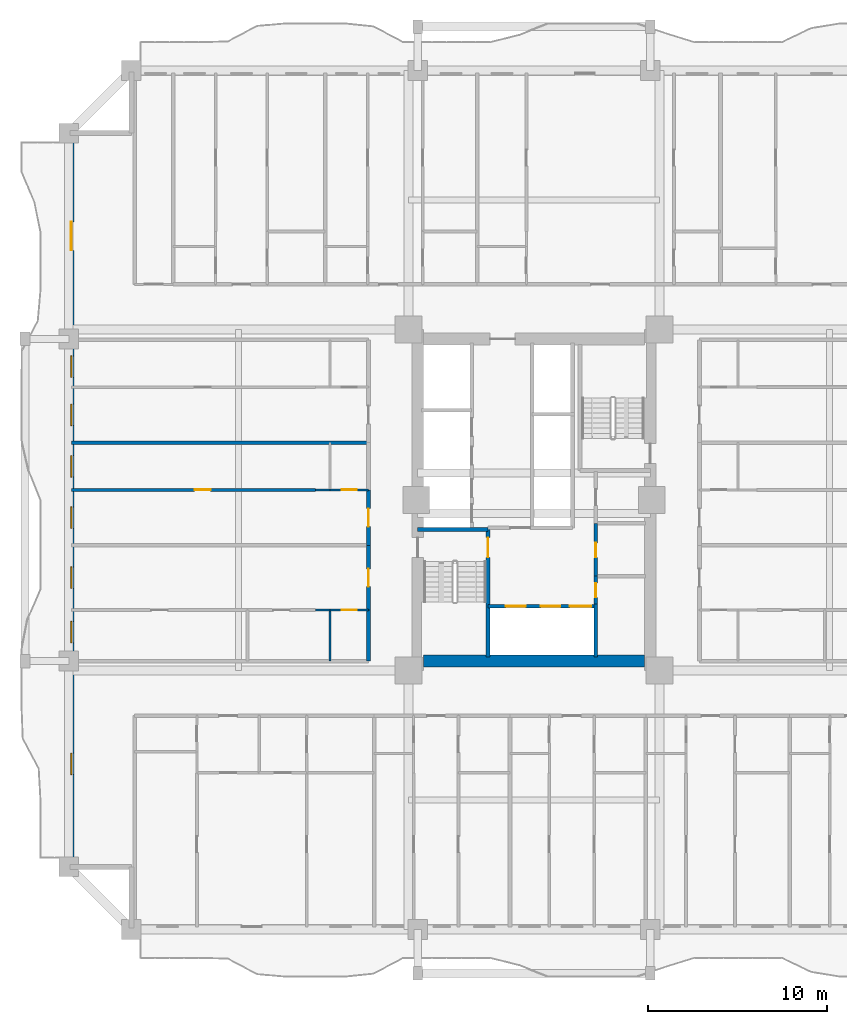
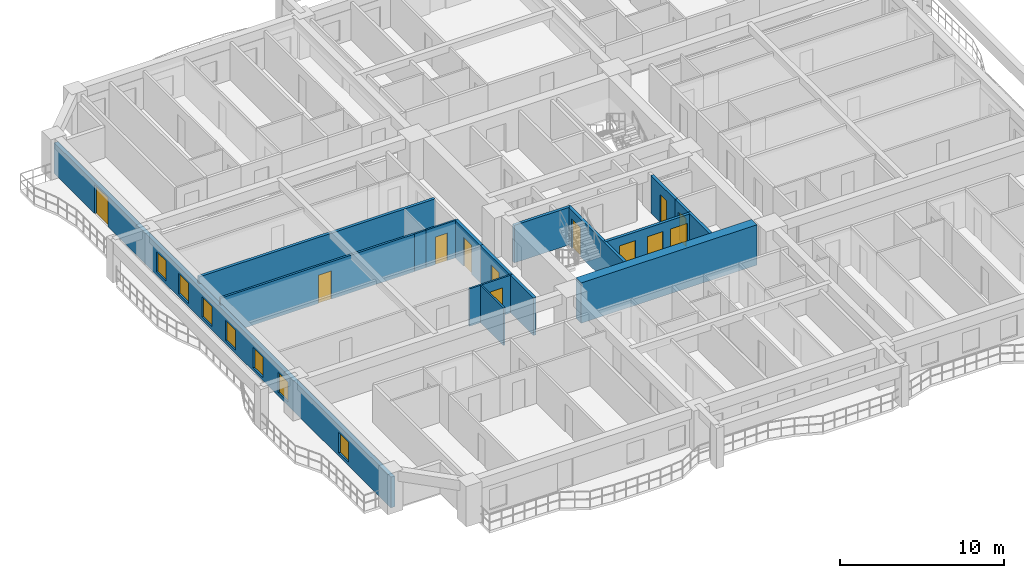
# One storey, part 4 of 16: 18 walls, 12 doors, 7 windows, 19 openings.
"""IFC4 building model written with IfcOpenShell, lengths in metres."""

from ifc_helpers import new_model, si_unit, direction, frame, frame_2d, origin, place, context, subcontext, project, spatial, rectangle, extrude, source, transform, mapped, material, layer, layer_set, type_object, element, fill, save


model = new_model("IFC4")

# Units and contexts
model_context = context("Model", 3, precision=1e-05, world=origin(), true_north=direction((0.0, 1.0)))
body_context = subcontext(model_context, "Body", "Model", "MODEL_VIEW")
ifc_project = project(units=[si_unit("LENGTHUNIT", "METRE"), si_unit("AREAUNIT", "SQUARE_METRE"), si_unit("VOLUMEUNIT", "CUBIC_METRE"), si_unit("PLANEANGLEUNIT", "RADIAN"), si_unit("MASSUNIT", "GRAM", prefix="KILO")], contexts=[model_context])

# Site, building, storey
site_placement = place(None, origin())
site = spatial("IfcSite", under=ifc_project, at=site_placement, CompositionType="ELEMENT")
building_placement = place(site_placement, origin())
building = spatial("IfcBuilding", under=site, at=building_placement, Name="Saelheon Loggia Tower", CompositionType="ELEMENT")
storey_placement = place(building_placement, frame((0.0, 0.0, 55.39990234375)))
storey = spatial("IfcBuildingStorey", under=building, at=storey_placement, Name="L17", CompositionType="ELEMENT", Elevation=55.39990234375)

# Wall
ifc_material_1 = material(Name="Concrete C60/75", Category="concrete")
ifc_layer_1 = layer(ifc_material_1, 0.64990234375)
ifc_layer_set_1 = layer_set([ifc_layer_1], Name="Concrete C60/75")
wall_type_1 = type_object("IfcWallType", Name="Wall_CoreShear_650", PredefinedType="SHEAR", material=ifc_layer_set_1)
wall_1_placement = place(storey_placement, frame((31.824951171875, 18.0, 0.0), z_axis=(0.0, 0.0, 1.0), x_axis=(1.0, 0.0, 0.0)))
element("IfcWall", 1, at=wall_1_placement, inside=storey, type_object=wall_type_1, Name="L17 Core Shear Wall South", PredefinedType="SHEAR", context=body_context, shape_type="SweptSolid", body=[
    extrude(rectangle(XDim=12.35009765625, YDim=0.64990234375, at=frame_2d((6.175048828125, 0.0))), origin(), (0.0, 0.0, 1.0), 3.0),
])

# Wall, openings, windows, door
ifc_material_2 = material(Name="Architectural Precast Concrete C40/50", Category="concrete")
ifc_layer_2 = layer(ifc_material_2, 0.280029296875)
ifc_layer_set_2 = layer_set([ifc_layer_2], Name="Architectural Precast Concrete C40/50")
wall_type_2 = type_object("IfcWallType", Name="Wall_Ext_Loggia_280", PredefinedType="SOLIDWALL", material=ifc_layer_set_2)
wall_2_placement = place(storey_placement, frame((12.139892578125, 6.5, 0.0), z_axis=(0.0, 0.0, 1.0), x_axis=(0.0, 1.0, 0.0)))
wall_2 = element("IfcWall", 2, at=wall_2_placement, inside=storey, type_object=wall_type_2, Name="L17 West Loggia Inner Wall", PredefinedType="SOLIDWALL", context=body_context, shape_type="SweptSolid", body=[
    extrude(rectangle(XDim=41.0, YDim=0.280029296875, at=frame_2d((20.5, 0.0))), origin(), (0.0, 0.0, 1.0), 2.280029296875),
])
opening_1_placement = place(wall_2_placement, frame((5.14990234375, 0.0, 0.25)))
opening_1 = element("IfcOpeningElement", 3, at=opening_1_placement, cuts=wall_2, Name="Opening WN-03", PredefinedType="OPENING", context=body_context, shape_type="SweptSolid", body=[
    extrude(rectangle(XDim=1.199951171875, YDim=1.5, at=frame_2d((0.60009765625, 0.75))), frame((0.0, 0.152099609375, 0.0), z_axis=(0.0, -1.0, 0.0), x_axis=(1.0, 0.0, 0.0)), (0.0, 0.0, 1.0), 0.303955078125),
])
opening_2_placement = place(wall_2_placement, frame((12.52001953125, 0.0, 0.25)))
opening_2 = element("IfcOpeningElement", 4, at=opening_2_placement, cuts=wall_2, Name="Opening WN-03", PredefinedType="OPENING", context=body_context, shape_type="SweptSolid", body=[
    extrude(rectangle(XDim=1.199951171875, YDim=1.5, at=frame_2d((0.60009765625, 0.75))), frame((0.0, 0.152099609375, 0.0), z_axis=(0.0, -1.0, 0.0), x_axis=(1.0, 0.0, 0.0)), (0.0, 0.0, 1.0), 0.303955078125),
])
opening_3_placement = place(wall_2_placement, frame((15.555908203125, 0.0, 0.25)))
opening_3 = element("IfcOpeningElement", 5, at=opening_3_placement, cuts=wall_2, Name="Opening WN-03", PredefinedType="OPENING", context=body_context, shape_type="SweptSolid", body=[
    extrude(rectangle(XDim=1.199951171875, YDim=1.5, at=frame_2d((0.60009765625, 0.75))), frame((0.0, 0.152099609375, 0.0), z_axis=(0.0, -1.0, 0.0), x_axis=(1.0, 0.0, 0.0)), (0.0, 0.0, 1.0), 0.303955078125),
])
opening_4_placement = place(wall_2_placement, frame((18.912841796875, 0.0, 0.25)))
opening_4 = element("IfcOpeningElement", 6, at=opening_4_placement, cuts=wall_2, Name="Opening WN-03", PredefinedType="OPENING", context=body_context, shape_type="SweptSolid", body=[
    extrude(rectangle(XDim=1.199951171875, YDim=1.5, at=frame_2d((0.60009765625, 0.75))), frame((0.0, 0.152099609375, 0.0), z_axis=(0.0, -1.0, 0.0), x_axis=(1.0, 0.0, 0.0)), (0.0, 0.0, 1.0), 0.303955078125),
])
opening_5_placement = place(wall_2_placement, frame((21.784912109375, 0.0, 0.25)))
opening_5 = element("IfcOpeningElement", 7, at=opening_5_placement, cuts=wall_2, Name="Opening WN-03", PredefinedType="OPENING", context=body_context, shape_type="SweptSolid", body=[
    extrude(rectangle(XDim=1.199951171875, YDim=1.5, at=frame_2d((0.60009765625, 0.75))), frame((0.0, 0.152099609375, 0.0), z_axis=(0.0, -1.0, 0.0), x_axis=(1.0, 0.0, 0.0)), (0.0, 0.0, 1.0), 0.303955078125),
])
opening_6_placement = place(wall_2_placement, frame((24.656982421875, 0.0, 0.25)))
opening_6 = element("IfcOpeningElement", 8, at=opening_6_placement, cuts=wall_2, Name="Opening WN-03", PredefinedType="OPENING", context=body_context, shape_type="SweptSolid", body=[
    extrude(rectangle(XDim=1.199951171875, YDim=1.5, at=frame_2d((0.60009765625, 0.75))), frame((0.0, 0.152099609375, 0.0), z_axis=(0.0, -1.0, 0.0), x_axis=(1.0, 0.0, 0.0)), (0.0, 0.0, 1.0), 0.303955078125),
])
opening_7_placement = place(wall_2_placement, frame((27.35888671875, 0.0, 0.25)))
opening_7 = element("IfcOpeningElement", 9, at=opening_7_placement, cuts=wall_2, Name="Opening WN-03", PredefinedType="OPENING", context=body_context, shape_type="SweptSolid", body=[
    extrude(rectangle(XDim=1.199951171875, YDim=1.5, at=frame_2d((0.60009765625, 0.75))), frame((0.0, 0.152099609375, 0.0), z_axis=(0.0, -1.0, 0.0), x_axis=(1.0, 0.0, 0.0)), (0.0, 0.0, 1.0), 0.303955078125),
])
opening_8_placement = place(wall_2_placement, frame((34.449951171875, 0.0, 0.0)))
opening_8 = element("IfcOpeningElement", 10, at=opening_8_placement, cuts=wall_2, Name="Opening DLG-1", PredefinedType="OPENING", context=body_context, shape_type="SweptSolid", body=[
    extrude(rectangle(XDim=1.60009765625, YDim=2.14990234375, at=frame_2d((0.800048828125, 1.074951171875))), frame((0.0, 0.152099609375, 0.0), z_axis=(0.0, -1.0, 0.0), x_axis=(1.0, 0.0, 0.0)), (0.0, 0.0, 1.0), 0.303955078125),
])
ifc_material_3 = material(Name="Thermal-Break Aluminium and Triple Low-E Glass", Category="aluminium")
window_type = type_object("IfcWindowType", Name="Win_Bedroom_1200x1500", PartitioningType="SINGLE_PANEL", PredefinedType="WINDOW", material=ifc_material_3)
shared_shape_1 = source(origin(), body_context, "Body", "SweptSolid", [
    extrude(rectangle(XDim=1.199951171875, YDim=1.5, at=frame_2d((0.60009765625, 0.75))), frame((0.0, 0.030029296875, 0.0), z_axis=(0.0, -1.0, 0.0), x_axis=(1.0, 0.0, 0.0)), (0.0, 0.0, 1.0), 0.06005859375),
])
window_1_placement = place(opening_1_placement, origin())
window_1 = element("IfcWindow", 11, at=window_1_placement, inside=storey, type_object=window_type, Name="L17 W Dwelling Window 1", OverallHeight=1.5, OverallWidth=1.199951171875, PartitioningType="SINGLE_PANEL", PredefinedType="WINDOW", context=body_context, shape_type="MappedRepresentation", body=[
    mapped(shared_shape_1, transform((0.0, 0.0, 0.0), scale=1.0)),
])
fill(opening_1, window_1)
window_2_placement = place(opening_2_placement, origin())
window_2 = element("IfcWindow", 12, at=window_2_placement, inside=storey, type_object=window_type, Name="L17 W Dwelling Window 2", OverallHeight=1.5, OverallWidth=1.199951171875, PartitioningType="SINGLE_PANEL", PredefinedType="WINDOW", context=body_context, shape_type="MappedRepresentation", body=[
    mapped(shared_shape_1, transform((0.0, 0.0, 0.0), scale=1.0)),
])
fill(opening_2, window_2)
window_3_placement = place(opening_3_placement, origin())
window_3 = element("IfcWindow", 13, at=window_3_placement, inside=storey, type_object=window_type, Name="L17 W Dwelling Window 3", OverallHeight=1.5, OverallWidth=1.199951171875, PartitioningType="SINGLE_PANEL", PredefinedType="WINDOW", context=body_context, shape_type="MappedRepresentation", body=[
    mapped(shared_shape_1, transform((0.0, 0.0, 0.0), scale=1.0)),
])
fill(opening_3, window_3)
window_4_placement = place(opening_4_placement, origin())
window_4 = element("IfcWindow", 14, at=window_4_placement, inside=storey, type_object=window_type, Name="L17 W Dwelling Window 4", OverallHeight=1.5, OverallWidth=1.199951171875, PartitioningType="SINGLE_PANEL", PredefinedType="WINDOW", context=body_context, shape_type="MappedRepresentation", body=[
    mapped(shared_shape_1, transform((0.0, 0.0, 0.0), scale=1.0)),
])
fill(opening_4, window_4)
window_5_placement = place(opening_5_placement, origin())
window_5 = element("IfcWindow", 15, at=window_5_placement, inside=storey, type_object=window_type, Name="L17 W Dwelling Window 5", OverallHeight=1.5, OverallWidth=1.199951171875, PartitioningType="SINGLE_PANEL", PredefinedType="WINDOW", context=body_context, shape_type="MappedRepresentation", body=[
    mapped(shared_shape_1, transform((0.0, 0.0, 0.0), scale=1.0)),
])
fill(opening_5, window_5)
window_6_placement = place(opening_6_placement, origin())
window_6 = element("IfcWindow", 16, at=window_6_placement, inside=storey, type_object=window_type, Name="L17 W Dwelling Window 6", OverallHeight=1.5, OverallWidth=1.199951171875, PartitioningType="SINGLE_PANEL", PredefinedType="WINDOW", context=body_context, shape_type="MappedRepresentation", body=[
    mapped(shared_shape_1, transform((0.0, 0.0, 0.0), scale=1.0)),
])
fill(opening_6, window_6)
window_7_placement = place(opening_7_placement, origin())
window_7 = element("IfcWindow", 17, at=window_7_placement, inside=storey, type_object=window_type, Name="L17 W Dwelling Window 7", OverallHeight=1.5, OverallWidth=1.199951171875, PartitioningType="SINGLE_PANEL", PredefinedType="WINDOW", context=body_context, shape_type="MappedRepresentation", body=[
    mapped(shared_shape_1, transform((0.0, 0.0, 0.0), scale=1.0)),
])
fill(opening_7, window_7)
ifc_material_4 = material(Name="Thermal-Break Aluminium Sliding Glazed Door", Category="aluminium")
door_type_1 = type_object("IfcDoorType", Name="Door_LoggiaSlide_1600", OperationType="SLIDING_TO_LEFT", PredefinedType="DOOR", material=ifc_material_4)
shared_shape_2 = source(origin(), body_context, "Body", "SweptSolid", [
    extrude(rectangle(XDim=1.60009765625, YDim=2.14990234375, at=frame_2d((0.800048828125, 1.074951171875))), frame((0.0, 0.02490234375, 0.0), z_axis=(0.0, -1.0, 0.0), x_axis=(1.0, 0.0, 0.0)), (0.0, 0.0, 1.0), 0.050048828125),
])
door_1_placement = place(opening_8_placement, origin())
door_1 = element("IfcDoor", 18, at=door_1_placement, inside=storey, type_object=door_type_1, Name="L17 W Loggia Access Door", OperationType="SLIDING_TO_LEFT", OverallHeight=2.14990234375, OverallWidth=1.60009765625, PredefinedType="DOOR", context=body_context, shape_type="MappedRepresentation", body=[
    mapped(shared_shape_2, transform((0.0, 0.0, 0.0), scale=1.0)),
])
fill(opening_8, door_1)

# Wall, opening, door
ifc_material_5 = material(Name="Lightweight Autoclaved Aerated Concrete Block and Acoustic Gypsum", Category="concrete")
ifc_layer_3 = layer(ifc_material_5, 0.14990234375)
ifc_layer_set_3 = layer_set([ifc_layer_3], Name="Lightweight Autoclaved Aerated Concrete Block and Acoustic Gypsum")
wall_type_3 = type_object("IfcWallType", Name="Wall_Part_150", PredefinedType="PARTITIONING", material=ifc_layer_set_3)
wall_3_placement = place(storey_placement, frame((25.7900390625, 27.563720703125, 0.0), z_axis=(0.0, 0.0, 1.0), x_axis=(-1.0, 0.0, 0.0)))
wall_3 = element("IfcWall", 19, at=wall_3_placement, inside=storey, type_object=wall_type_3, Name="L17 W Partition U17", PredefinedType="PARTITIONING", context=body_context, shape_type="SweptSolid", body=[
    extrude(rectangle(XDim=13.64013671875, YDim=0.14990234375, at=frame_2d((6.820068359375, 0.0))), origin(), (0.0, 0.0, 1.0), 2.7900390625),
])
opening_9_placement = place(wall_3_placement, frame((5.859130859375, 0.0, 0.0)))
opening_9 = element("IfcOpeningElement", 20, at=opening_9_placement, cuts=wall_3, Name="Opening D-IN2", PredefinedType="OPENING", context=body_context, shape_type="SweptSolid", body=[
    extrude(rectangle(XDim=0.89990234375, YDim=2.10009765625, at=frame_2d((0.449951171875, 1.050048828125))), frame((0.0, 0.0869140625, 0.0), z_axis=(0.0, -1.0, 0.0), x_axis=(1.0, 0.0, 0.0)), (0.0, 0.0, 1.0), 0.173828125),
])
ifc_material_6 = material(Name="Engineered Oak Flush Door", Category="timber")
door_type_2 = type_object("IfcDoorType", Name="Door_Int_900", OperationType="NOTDEFINED", PredefinedType="DOOR", material=ifc_material_6)
shared_shape_3 = source(origin(), body_context, "Body", "SweptSolid", [
    extrude(rectangle(XDim=0.89990234375, YDim=2.10009765625, at=frame_2d((0.449951171875, 1.050048828125))), frame((0.0, 0.02490234375, 0.0), z_axis=(0.0, -1.0, 0.0), x_axis=(1.0, 0.0, 0.0)), (0.0, 0.0, 1.0), 0.050048828125),
])
door_2_placement = place(opening_9_placement, origin())
door_2 = element("IfcDoor", 21, at=door_2_placement, inside=storey, type_object=door_type_2, Name="Unit U11 Kitchen Door", OperationType="SINGLE_SWING_LEFT", OverallHeight=2.10009765625, OverallWidth=0.89990234375, PredefinedType="DOOR", context=body_context, shape_type="MappedRepresentation", body=[
    mapped(shared_shape_3, transform((0.0, 0.0, 0.0), scale=1.0)),
])
fill(opening_9, door_2)

# Wall
ifc_material_7 = material(Name="Double Acoustic Stud and Fireboard Partition", Category="gypsum")
ifc_layer_4 = layer(ifc_material_7, 0.199951171875)
ifc_layer_set_4 = layer_set([ifc_layer_4], Name="Double Acoustic Stud and Fireboard Partition")
wall_type_4 = type_object("IfcWallType", Name="Wall_Party_200", PredefinedType="PARTITIONING", material=ifc_layer_set_4)
wall_4_placement = place(storey_placement, frame((28.75, 18.0, 0.0), z_axis=(0.0, 0.0, 1.0), x_axis=(0.0, 1.0, 0.0)))
element("IfcWall", 22, at=wall_4_placement, inside=storey, type_object=wall_type_4, Name="L17 W Partition V03", PredefinedType="PARTITIONING", context=body_context, shape_type="SweptSolid", body=[
    extrude(rectangle(XDim=2.85009765625, YDim=0.199951171875, at=frame_2d((1.425048828125, 0.0))), origin(), (0.0, 0.0, 1.0), 2.7900390625),
])

# Wall, opening, door
wall_5_placement = place(storey_placement, frame((28.75, 20.85009765625, 0.0), z_axis=(0.0, 0.0, 1.0), x_axis=(0.0, 1.0, 0.0)))
wall_5 = element("IfcWall", 23, at=wall_5_placement, inside=storey, type_object=wall_type_4, Name="L17 W Partition V04", PredefinedType="PARTITIONING", context=body_context, shape_type="SweptSolid", body=[
    extrude(rectangle(XDim=3.61181640625, YDim=0.199951171875, at=frame_2d((1.805908203125, 0.0))), origin(), (0.0, 0.0, 1.0), 2.7900390625),
])
opening_10_placement = place(wall_5_placement, frame((1.305908203125, 0.0, 0.0)))
opening_10 = element("IfcOpeningElement", 24, at=opening_10_placement, cuts=wall_5, Name="Opening D-FD1", PredefinedType="OPENING", context=body_context, shape_type="SweptSolid", body=[
    extrude(rectangle(XDim=1.0, YDim=2.14990234375, at=frame_2d((0.5, 1.074951171875))), frame((0.0, 0.112060546875, 0.0), z_axis=(0.0, -1.0, 0.0), x_axis=(1.0, 0.0, 0.0)), (0.0, 0.0, 1.0), 0.223876953125),
])
ifc_material_8 = material(Name="Fire-Rated Engineered Timber Entrance Door", Category="wood")
door_type_3 = type_object("IfcDoorType", Name="Door_Flat_FD30S", OperationType="NOTDEFINED", PredefinedType="DOOR", material=ifc_material_8)
shared_shape_4 = source(origin(), body_context, "Body", "SweptSolid", [
    extrude(rectangle(XDim=1.0, YDim=2.14990234375, at=frame_2d((0.5, 1.074951171875))), frame((0.0, 0.02490234375, 0.0), z_axis=(0.0, -1.0, 0.0), x_axis=(1.0, 0.0, 0.0)), (0.0, 0.0, 1.0), 0.050048828125),
])
door_3_placement = place(opening_10_placement, origin())
door_3 = element("IfcDoor", 25, at=door_3_placement, inside=storey, type_object=door_type_3, Name="Unit U10 Entrance Door", OperationType="SINGLE_SWING_LEFT", OverallHeight=2.14990234375, OverallWidth=1.0, PredefinedType="DOOR", context=body_context, shape_type="MappedRepresentation", body=[
    mapped(shared_shape_4, transform((0.0, 0.0, 0.0), scale=1.0)),
])
fill(opening_10, door_3)

wall_6_placement = place(storey_placement, frame((28.75, 24.4619140625, 0.0), z_axis=(0.0, 0.0, 1.0), x_axis=(0.0, 1.0, 0.0)))
wall_6 = element("IfcWall", 26, at=wall_6_placement, inside=storey, type_object=wall_type_4, Name="L17 W Partition V12", PredefinedType="PARTITIONING", context=body_context, shape_type="SweptSolid", body=[
    extrude(rectangle(XDim=3.101806640625, YDim=0.199951171875, at=frame_2d((1.55078125, 0.0))), origin(), (0.0, 0.0, 1.0), 2.7900390625),
])
opening_11_placement = place(wall_6_placement, frame((1.05078125, 0.0, 0.0)))
opening_11 = element("IfcOpeningElement", 27, at=opening_11_placement, cuts=wall_6, Name="Opening D-FD1", PredefinedType="OPENING", context=body_context, shape_type="SweptSolid", body=[
    extrude(rectangle(XDim=1.0, YDim=2.14990234375, at=frame_2d((0.5, 1.074951171875))), frame((0.0, 0.112060546875, 0.0), z_axis=(0.0, -1.0, 0.0), x_axis=(1.0, 0.0, 0.0)), (0.0, 0.0, 1.0), 0.223876953125),
])
door_4_placement = place(opening_11_placement, origin())
door_4 = element("IfcDoor", 28, at=door_4_placement, inside=storey, type_object=door_type_3, Name="Unit U11 Entrance Door", OperationType="SINGLE_SWING_LEFT", OverallHeight=2.14990234375, OverallWidth=1.0, PredefinedType="DOOR", context=body_context, shape_type="MappedRepresentation", body=[
    mapped(shared_shape_4, transform((0.0, 0.0, 0.0), scale=1.0)),
])
fill(opening_11, door_4)

# Walls
wall_7_placement = place(storey_placement, frame((28.75, 30.2060546875, 0.0), z_axis=(0.0, 0.0, 1.0), x_axis=(-1.0, 0.0, 0.0)))
element("IfcWall", 29, at=wall_7_placement, inside=storey, type_object=wall_type_4, Name="L17 W Partition U18", PredefinedType="PARTITIONING", context=body_context, shape_type="SweptSolid", body=[
    extrude(rectangle(XDim=16.60009765625, YDim=0.199951171875, at=frame_2d((8.300048828125, 0.0))), origin(), (0.0, 0.0, 1.0), 2.7900390625),
])
ifc_material_9 = material(Name="Concrete C40/50", Category="concrete")
ifc_layer_5 = layer(ifc_material_9, 0.199951171875)
ifc_layer_set_5 = layer_set([ifc_layer_5], Name="Concrete C40/50")
wall_type_5 = type_object("IfcWallType", Name="Wall_Shaft_200", PredefinedType="PARTITIONING", material=ifc_layer_set_5)
wall_8_placement = place(storey_placement, frame((41.449951171875, 18.219970703125, 0.0), z_axis=(0.0, 0.0, 1.0), x_axis=(0.0, 1.0, 0.0)))
element("IfcWall", 30, at=wall_8_placement, inside=storey, type_object=wall_type_5, Name="CW-INT-L17-BOH-W0", PredefinedType="PARTITIONING", context=body_context, shape_type="SweptSolid", body=[
    extrude(rectangle(XDim=2.9599609375, YDim=0.199951171875, at=frame_2d((1.47998046875, 0.0))), origin(), (0.0, 0.0, 1.0), 2.7900390625),
])

# Wall, opening, door
wall_9_placement = place(storey_placement, frame((41.449951171875, 21.179931640625, 0.0), z_axis=(0.0, 0.0, 1.0), x_axis=(0.0, 1.0, 0.0)))
wall_9 = element("IfcWall", 31, at=wall_9_placement, inside=storey, type_object=wall_type_5, Name="CW-INT-L17-BOH-W1", PredefinedType="PARTITIONING", context=body_context, shape_type="SweptSolid", body=[
    extrude(rectangle(XDim=1.570068359375, YDim=0.199951171875, at=frame_2d((0.78515625, 0.0))), origin(), (0.0, 0.0, 1.0), 2.7900390625),
])
opening_12_placement = place(wall_9_placement, frame((0.3798828125, 0.0, 0.0)))
opening_12 = element("IfcOpeningElement", 32, at=opening_12_placement, cuts=wall_9, Name="Opening D-ST1", PredefinedType="OPENING", context=body_context, shape_type="SweptSolid", body=[
    extrude(rectangle(XDim=0.800048828125, YDim=2.050048828125, at=frame_2d((0.39990234375, 1.02490234375))), frame((0.0, 0.112060546875, 0.0), z_axis=(0.0, -1.0, 0.0), x_axis=(1.0, 0.0, 0.0)), (0.0, 0.0, 1.0), 0.223876953125),
])
ifc_material_10 = material(Name="Powder-Coated Steel Store Door", Category="steel")
door_type_4 = type_object("IfcDoorType", Name="Door_Store_800", OperationType="NOTDEFINED", PredefinedType="DOOR", material=ifc_material_10)
shared_shape_5 = source(origin(), body_context, "Body", "SweptSolid", [
    extrude(rectangle(XDim=0.800048828125, YDim=2.050048828125, at=frame_2d((0.39990234375, 1.02490234375))), frame((0.0, 0.02490234375, 0.0), z_axis=(0.0, -1.0, 0.0), x_axis=(1.0, 0.0, 0.0)), (0.0, 0.0, 1.0), 0.050048828125),
])
door_5_placement = place(opening_12_placement, origin())
door_5 = element("IfcDoor", 33, at=door_5_placement, inside=storey, type_object=door_type_4, Name="L17 Cleaner Store Door", OperationType="SINGLE_SWING_RIGHT", OverallHeight=2.050048828125, OverallWidth=0.800048828125, PredefinedType="DOOR", context=body_context, shape_type="MappedRepresentation", body=[
    mapped(shared_shape_5, transform((0.0, 0.0, 0.0), scale=1.0)),
])
fill(opening_12, door_5)

wall_10_placement = place(storey_placement, frame((41.449951171875, 22.75, 0.0), z_axis=(0.0, 0.0, 1.0), x_axis=(0.0, 1.0, 0.0)))
wall_10 = element("IfcWall", 34, at=wall_10_placement, inside=storey, type_object=wall_type_5, Name="CW-INT-L17-BOH-W2", PredefinedType="PARTITIONING", context=body_context, shape_type="SweptSolid", body=[
    extrude(rectangle(XDim=2.949951171875, YDim=0.199951171875, at=frame_2d((1.47509765625, 0.0))), origin(), (0.0, 0.0, 1.0), 2.7900390625),
])
opening_13_placement = place(wall_10_placement, frame((1.050048828125, 0.0, 0.0)))
opening_13 = element("IfcOpeningElement", 35, at=opening_13_placement, cuts=wall_10, Name="Opening D-ST1", PredefinedType="OPENING", context=body_context, shape_type="SweptSolid", body=[
    extrude(rectangle(XDim=0.800048828125, YDim=2.050048828125, at=frame_2d((0.39990234375, 1.02490234375))), frame((0.0, 0.112060546875, 0.0), z_axis=(0.0, -1.0, 0.0), x_axis=(1.0, 0.0, 0.0)), (0.0, 0.0, 1.0), 0.223876953125),
])
door_6_placement = place(opening_13_placement, origin())
door_6 = element("IfcDoor", 36, at=door_6_placement, inside=storey, type_object=door_type_4, Name="L17 Electrical Riser Door", OperationType="SINGLE_SWING_LEFT", OverallHeight=2.050048828125, OverallWidth=0.800048828125, PredefinedType="DOOR", context=body_context, shape_type="MappedRepresentation", body=[
    mapped(shared_shape_5, transform((0.0, 0.0, 0.0), scale=1.0)),
])
fill(opening_13, door_6)

# Wall, openings, doors
wall_11_placement = place(storey_placement, frame((35.429931640625, 21.06005859375, 0.0), z_axis=(0.0, 0.0, 1.0), x_axis=(1.0, 0.0, 0.0)))
wall_11 = element("IfcWall", 37, at=wall_11_placement, inside=storey, type_object=wall_type_5, Name="L17 Firefighting Lift Shaft Front Wall", PredefinedType="PARTITIONING", context=body_context, shape_type="SweptSolid", body=[
    extrude(rectangle(XDim=6.02001953125, YDim=0.199951171875, at=frame_2d((3.010009765625, 0.0))), origin(), (0.0, 0.0, 1.0), 2.7900390625),
])
opening_14_placement = place(wall_11_placement, frame((1.0, 0.0, 0.0)))
opening_14 = element("IfcOpeningElement", 38, at=opening_14_placement, cuts=wall_11, Name="Opening LD2", PredefinedType="OPENING", context=body_context, shape_type="SweptSolid", body=[
    extrude(rectangle(XDim=1.10009765625, YDim=2.14990234375, at=frame_2d((0.550048828125, 1.074951171875))), frame((0.0, 0.112060546875, 0.0), z_axis=(0.0, -1.0, 0.0), x_axis=(1.0, 0.0, 0.0)), (0.0, 0.0, 1.0), 0.223876953125),
])
opening_15_placement = place(wall_11_placement, frame((2.949951171875, 0.0, 0.0)))
opening_15 = element("IfcOpeningElement", 39, at=opening_15_placement, cuts=wall_11, Name="Opening LD2", PredefinedType="OPENING", context=body_context, shape_type="SweptSolid", body=[
    extrude(rectangle(XDim=1.10009765625, YDim=2.14990234375, at=frame_2d((0.550048828125, 1.074951171875))), frame((0.0, 0.112060546875, 0.0), z_axis=(0.0, -1.0, 0.0), x_axis=(1.0, 0.0, 0.0)), (0.0, 0.0, 1.0), 0.223876953125),
])
opening_16_placement = place(wall_11_placement, frame((4.580078125, 0.0, 0.0)))
opening_16 = element("IfcOpeningElement", 40, at=opening_16_placement, cuts=wall_11, Name="Opening LD3", PredefinedType="OPENING", context=body_context, shape_type="SweptSolid", body=[
    extrude(rectangle(XDim=1.199951171875, YDim=2.14990234375, at=frame_2d((0.60009765625, 1.074951171875))), frame((0.0, 0.112060546875, 0.0), z_axis=(0.0, -1.0, 0.0), x_axis=(1.0, 0.0, 0.0)), (0.0, 0.0, 1.0), 0.223876953125),
])
ifc_material_11 = material(Name="Firefighting Stainless Steel 316 Landing Door", Category="steel")
door_type_5 = type_object("IfcDoorType", Name="Door_Lift_LD2", OperationType="DOUBLE_DOOR_SLIDING", PredefinedType="DOOR", material=ifc_material_11)
shared_shape_6 = source(origin(), body_context, "Body", "SweptSolid", [
    extrude(rectangle(XDim=1.10009765625, YDim=2.14990234375, at=frame_2d((0.550048828125, 1.074951171875))), frame((0.0, 0.02490234375, 0.0), z_axis=(0.0, -1.0, 0.0), x_axis=(1.0, 0.0, 0.0)), (0.0, 0.0, 1.0), 0.050048828125),
])
door_7_placement = place(opening_14_placement, origin())
door_7 = element("IfcDoor", 41, at=door_7_placement, inside=storey, type_object=door_type_5, Name="L17 FF1 Landing Door", OperationType="DOUBLE_DOOR_SLIDING", OverallHeight=2.14990234375, OverallWidth=1.10009765625, PredefinedType="DOOR", context=body_context, shape_type="MappedRepresentation", body=[
    mapped(shared_shape_6, transform((0.0, 0.0, 0.0), scale=1.0)),
])
fill(opening_14, door_7)
door_8_placement = place(opening_15_placement, origin())
door_8 = element("IfcDoor", 42, at=door_8_placement, inside=storey, type_object=door_type_5, Name="L17 FF2 Landing Door", OperationType="DOUBLE_DOOR_SLIDING", OverallHeight=2.14990234375, OverallWidth=1.10009765625, PredefinedType="DOOR", context=body_context, shape_type="MappedRepresentation", body=[
    mapped(shared_shape_6, transform((0.0, 0.0, 0.0), scale=1.0)),
])
fill(opening_15, door_8)
ifc_material_12 = material(Name="Stretcher Lift Stainless Steel 304 Landing Door", Category="steel")
door_type_6 = type_object("IfcDoorType", Name="Door_Lift_LD3", OperationType="DOUBLE_DOOR_SLIDING", PredefinedType="DOOR", material=ifc_material_12)
shared_shape_7 = source(origin(), body_context, "Body", "SweptSolid", [
    extrude(rectangle(XDim=1.199951171875, YDim=2.14990234375, at=frame_2d((0.60009765625, 1.074951171875))), frame((0.0, 0.02490234375, 0.0), z_axis=(0.0, -1.0, 0.0), x_axis=(1.0, 0.0, 0.0)), (0.0, 0.0, 1.0), 0.050048828125),
])
door_9_placement = place(opening_16_placement, origin())
door_9 = element("IfcDoor", 43, at=door_9_placement, inside=storey, type_object=door_type_6, Name="L17 SV1 Landing Door", OperationType="DOUBLE_DOOR_SLIDING", OverallHeight=2.14990234375, OverallWidth=1.199951171875, PredefinedType="DOOR", context=body_context, shape_type="MappedRepresentation", body=[
    mapped(shared_shape_7, transform((0.0, 0.0, 0.0), scale=1.0)),
])
fill(opening_16, door_9)

# Wall, opening, door
ifc_material_13 = material(Name="Concrete C45/55", Category="concrete")
ifc_layer_6 = layer(ifc_material_13, 0.199951171875)
ifc_layer_set_6 = layer_set([ifc_layer_6], Name="Concrete C45/55")
wall_type_6 = type_object("IfcWallType", Name="Wall_StairShaft_RC200", PredefinedType="SOLIDWALL", material=ifc_layer_set_6)
wall_12_placement = place(storey_placement, frame((35.429931640625, 18.219970703125, 0.0), z_axis=(0.0, 0.0, 1.0), x_axis=(0.0, 1.0, 0.0)))
wall_12 = element("IfcWall", 44, at=wall_12_placement, inside=storey, type_object=wall_type_6, Name="L17 Stair ST1 Shaft Wall", PredefinedType="SOLIDWALL", context=body_context, shape_type="SweptSolid", body=[
    extrude(rectangle(XDim=7.219970703125, YDim=0.199951171875, at=frame_2d((3.60986328125, 0.0))), origin(), (0.0, 0.0, 1.0), 2.7900390625),
])
opening_17_placement = place(wall_12_placement, frame((6.68017578125, 0.0, 0.0), z_axis=(0.0, 0.0, 1.0), x_axis=(-1.0, 0.0, 0.0)))
opening_17 = element("IfcOpeningElement", 45, at=opening_17_placement, cuts=wall_12, Name="Opening D-FD2", PredefinedType="OPENING", context=body_context, shape_type="SweptSolid", body=[
    extrude(rectangle(XDim=1.10009765625, YDim=2.14990234375, at=frame_2d((0.550048828125, 1.074951171875))), frame((0.0, 0.112060546875, 0.0), z_axis=(0.0, -1.0, 0.0), x_axis=(1.0, 0.0, 0.0)), (0.0, 0.0, 1.0), 0.223876953125),
])
ifc_material_14 = material(Name="Galvanised Steel Fire Door", Category="steel")
door_type_7 = type_object("IfcDoorType", Name="Door_Fire_FD60_1100", OperationType="NOTDEFINED", PredefinedType="DOOR", material=ifc_material_14)
door_10_placement = place(opening_17_placement, origin())
door_10 = element("IfcDoor", 46, at=door_10_placement, inside=storey, type_object=door_type_7, Name="L17 Stair ST1 Lobby Door", OperationType="SINGLE_SWING_RIGHT", OverallHeight=2.14990234375, OverallWidth=1.10009765625, PredefinedType="DOOR", context=body_context, shape_type="MappedRepresentation", body=[
    mapped(shared_shape_6, transform((0.0, 0.0, 0.0), scale=1.0)),
])
fill(opening_17, door_10)

# Wall
wall_13_placement = place(storey_placement, frame((31.5, 25.35009765625, 0.0), z_axis=(0.0, 0.0, 1.0), x_axis=(1.0, 0.0, 0.0)))
element("IfcWall", 47, at=wall_13_placement, inside=storey, type_object=wall_type_6, Name="L17 Stair ST1 North Wall", PredefinedType="SOLIDWALL", context=body_context, shape_type="SweptSolid", body=[
    extrude(rectangle(XDim=3.929931640625, YDim=0.199951171875, at=frame_2d((1.96484375, 0.0))), origin(), (0.0, 0.0, 1.0), 2.7900390625),
])

# Wall, opening, door
ifc_material_15 = material(Name="Moisture-Resistant Cement Board Partition", Category="gypsum")
ifc_layer_7 = layer(ifc_material_15, 0.1201171875)
ifc_layer_set_7 = layer_set([ifc_layer_7], Name="Moisture-Resistant Cement Board Partition")
wall_type_7 = type_object("IfcWallType", Name="Wall_WetPart_120", PredefinedType="PARTITIONING", material=ifc_layer_set_7)
wall_14_placement = place(storey_placement, frame((28.75, 20.85009765625, 0.0), z_axis=(0.0, 0.0, 1.0), x_axis=(-1.0, 0.0, 0.0)))
wall_14 = element("IfcWall", 48, at=wall_14_placement, inside=storey, type_object=wall_type_7, Name="L17 W Partition U05", PredefinedType="PARTITIONING", context=body_context, shape_type="SweptSolid", body=[
    extrude(rectangle(XDim=2.14990234375, YDim=0.1201171875, at=frame_2d((1.074951171875, 0.0))), origin(), (0.0, 0.0, 1.0), 2.7900390625),
])
opening_18_placement = place(wall_14_placement, frame((0.64990234375, 0.0, 0.0)))
opening_18 = element("IfcOpeningElement", 49, at=opening_18_placement, cuts=wall_14, Name="Opening D-BT1", PredefinedType="OPENING", context=body_context, shape_type="SweptSolid", body=[
    extrude(rectangle(XDim=0.85009765625, YDim=2.050048828125, at=frame_2d((0.425048828125, 1.02490234375))), frame((0.0, 0.072021484375, 0.0), z_axis=(0.0, -1.0, 0.0), x_axis=(1.0, 0.0, 0.0)), (0.0, 0.0, 1.0), 0.14404296875),
])
ifc_material_16 = material(Name="Moisture-Resistant Laminate Timber Door", Category="wood")
door_type_8 = type_object("IfcDoorType", Name="Door_Bath_850", OperationType="NOTDEFINED", PredefinedType="DOOR", material=ifc_material_16)
shared_shape_8 = source(origin(), body_context, "Body", "SweptSolid", [
    extrude(rectangle(XDim=0.85009765625, YDim=2.050048828125, at=frame_2d((0.425048828125, 1.02490234375))), frame((0.0, 0.02490234375, 0.0), z_axis=(0.0, -1.0, 0.0), x_axis=(1.0, 0.0, 0.0)), (0.0, 0.0, 1.0), 0.050048828125),
])
door_11_placement = place(opening_18_placement, origin())
door_11 = element("IfcDoor", 50, at=door_11_placement, inside=storey, type_object=door_type_8, Name="Unit U10 Bathroom Door", OperationType="SINGLE_SWING_RIGHT", OverallHeight=2.050048828125, OverallWidth=0.85009765625, PredefinedType="DOOR", context=body_context, shape_type="MappedRepresentation", body=[
    mapped(shared_shape_8, transform((0.0, 0.0, 0.0), scale=1.0)),
])
fill(opening_18, door_11)

# Walls
wall_15_placement = place(storey_placement, frame((26.60009765625, 20.85009765625, 0.0), z_axis=(0.0, 0.0, 1.0), x_axis=(-1.0, 0.0, 0.0)))
element("IfcWall", 51, at=wall_15_placement, inside=storey, type_object=wall_type_7, Name="L17 W Partition U06", PredefinedType="PARTITIONING", context=body_context, shape_type="SweptSolid", body=[
    extrude(rectangle(XDim=0.81005859375, YDim=0.1201171875, at=frame_2d((0.405029296875, 0.0))), origin(), (0.0, 0.0, 1.0), 2.7900390625),
])
wall_16_placement = place(storey_placement, frame((26.60009765625, 18.0, 0.0), z_axis=(0.0, 0.0, 1.0), x_axis=(0.0, 1.0, 0.0)))
element("IfcWall", 52, at=wall_16_placement, inside=storey, type_object=wall_type_7, Name="L17 W Partition V07", PredefinedType="PARTITIONING", context=body_context, shape_type="SweptSolid", body=[
    extrude(rectangle(XDim=2.85009765625, YDim=0.1201171875, at=frame_2d((1.425048828125, 0.0))), origin(), (0.0, 0.0, 1.0), 2.7900390625),
])

# Wall, opening, door
wall_17_placement = place(storey_placement, frame((28.75, 27.563720703125, 0.0), z_axis=(0.0, 0.0, 1.0), x_axis=(-1.0, 0.0, 0.0)))
wall_17 = element("IfcWall", 53, at=wall_17_placement, inside=storey, type_object=wall_type_7, Name="L17 W Partition U14", PredefinedType="PARTITIONING", context=body_context, shape_type="SweptSolid", body=[
    extrude(rectangle(XDim=2.14990234375, YDim=0.1201171875, at=frame_2d((1.074951171875, 0.0))), origin(), (0.0, 0.0, 1.0), 2.7900390625),
])
opening_19_placement = place(wall_17_placement, frame((0.64990234375, 0.0, 0.0)))
opening_19 = element("IfcOpeningElement", 54, at=opening_19_placement, cuts=wall_17, Name="Opening D-BT1", PredefinedType="OPENING", context=body_context, shape_type="SweptSolid", body=[
    extrude(rectangle(XDim=0.85009765625, YDim=2.050048828125, at=frame_2d((0.425048828125, 1.02490234375))), frame((0.0, 0.072021484375, 0.0), z_axis=(0.0, -1.0, 0.0), x_axis=(1.0, 0.0, 0.0)), (0.0, 0.0, 1.0), 0.14404296875),
])
door_12_placement = place(opening_19_placement, origin())
door_12 = element("IfcDoor", 55, at=door_12_placement, inside=storey, type_object=door_type_8, Name="Unit U11 Bathroom Door", OperationType="SINGLE_SWING_RIGHT", OverallHeight=2.050048828125, OverallWidth=0.85009765625, PredefinedType="DOOR", context=body_context, shape_type="MappedRepresentation", body=[
    mapped(shared_shape_8, transform((0.0, 0.0, 0.0), scale=1.0)),
])
fill(opening_19, door_12)

# Wall
wall_18_placement = place(storey_placement, frame((26.60009765625, 27.563720703125, 0.0), z_axis=(0.0, 0.0, 1.0), x_axis=(-1.0, 0.0, 0.0)))
element("IfcWall", 56, at=wall_18_placement, inside=storey, type_object=wall_type_7, Name="L17 W Partition U15", PredefinedType="PARTITIONING", context=body_context, shape_type="SweptSolid", body=[
    extrude(rectangle(XDim=0.81005859375, YDim=0.1201171875, at=frame_2d((0.405029296875, 0.0))), origin(), (0.0, 0.0, 1.0), 2.7900390625),
])

save(model, "model.ifc")
